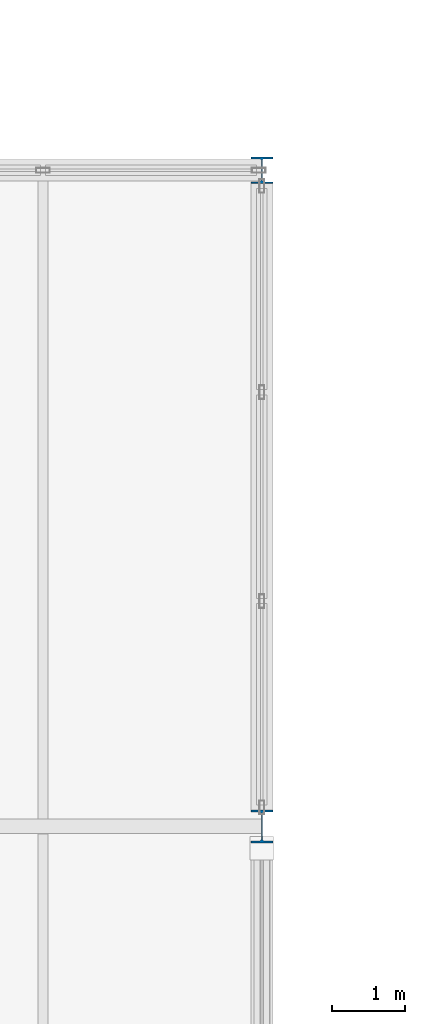
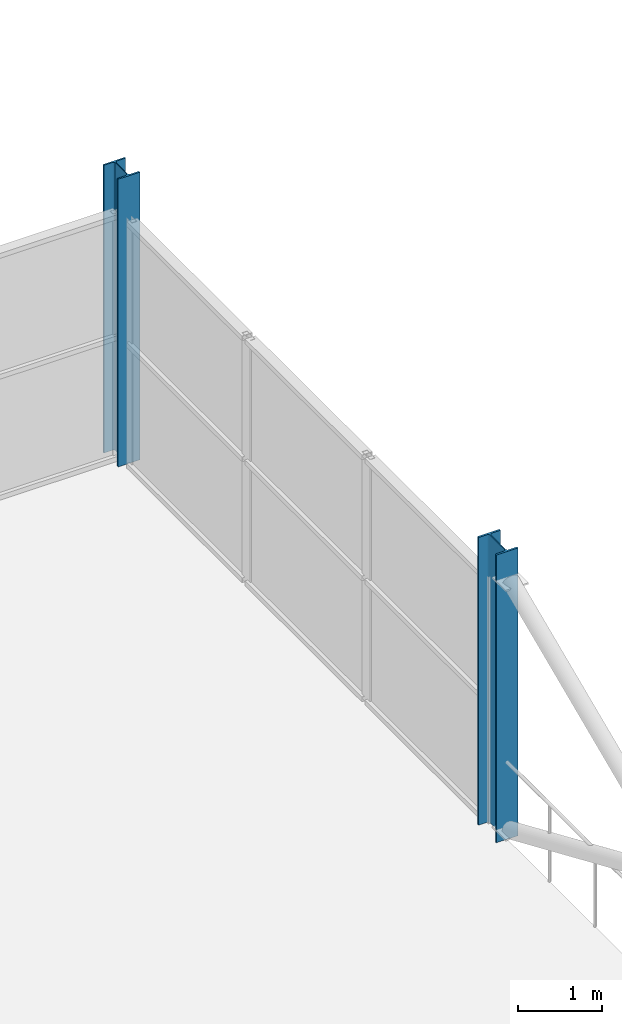
# One storey, part 15 of 103: 2 columns.
"""IFC4 building model written with IfcOpenShell, lengths in metres."""

from ifc_helpers import new_model, si_unit, direction, frame, origin, origin_2d, place, context, subcontext, project, spatial, i_section, extrude, material, material_profile, profile_set, type_object, element, save


model = new_model("IFC4")

# Units and contexts
model_context = context("Model", 3, precision=1e-05, world=origin(), true_north=direction((0.0, 1.0)))
body_context = subcontext(model_context, "Body", "Model", "MODEL_VIEW")
ifc_project = project(units=[si_unit("LENGTHUNIT", "METRE"), si_unit("AREAUNIT", "SQUARE_METRE"), si_unit("VOLUMEUNIT", "CUBIC_METRE"), si_unit("PLANEANGLEUNIT", "RADIAN"), si_unit("MASSUNIT", "GRAM", prefix="KILO")], contexts=[model_context])

# Site, building, storey
site_placement = place(None, origin())
site = spatial("IfcSite", under=ifc_project, at=site_placement, CompositionType="ELEMENT")
building_placement = place(site_placement, origin())
building = spatial("IfcBuilding", under=site, at=building_placement, Name="Deido Ridge Mobility Hub", CompositionType="ELEMENT")
storey_placement = place(building_placement, frame((0.0, 0.0, 12.60009765625)))
storey = spatial("IfcBuildingStorey", under=building, at=storey_placement, Name="L03", CompositionType="ELEMENT", Elevation=12.60009765625)

# Columns
ifc_material = material(Name="Steel S355J2 EN 10025-2", Category="steel")
ifc_material_profile_1 = material_profile(ifc_material, i_section(OverallWidth=0.300048828125, OverallDepth=0.360107421875, WebThickness=0.012451171875, FlangeThickness=0.0224609375, FilletRadius=0.027099609375, at=origin_2d()), Name="HEB 360")
ifc_profile_set_1 = profile_set([ifc_material_profile_1], Name="Steel S355J2 EN 10025-2")
column_type_1 = type_object("IfcColumnType", Name="COL-HEB360", PredefinedType="COLUMN", material=ifc_profile_set_1)
column_1_placement = place(storey_placement, frame((180.0, 72.0, 0.0), z_axis=(0.0, 0.0, 1.0), x_axis=(1.0, 0.0, 0.0)))
element("IfcColumn", 1, at=column_1_placement, inside=storey, type_object=column_type_1, Name="Structural column C8", PredefinedType="COLUMN", context=body_context, shape_type="SweptSolid", body=[
    extrude(i_section(OverallWidth=0.300048828125, OverallDepth=0.360107421875, WebThickness=0.012451171875, FlangeThickness=0.0224609375, FilletRadius=0.027099609375, at=origin_2d()), origin(), (0.0, 0.0, 1.0), 4.199951171875),
])
ifc_material_profile_2 = material_profile(ifc_material, i_section(OverallWidth=0.300048828125, OverallDepth=0.449951171875, WebThickness=0.013916015625, FlangeThickness=0.02587890625, FilletRadius=0.027099609375, at=origin_2d()), Name="HEB 450")
ifc_profile_set_2 = profile_set([ifc_material_profile_2], Name="Steel S355J2 EN 10025-2")
column_type_2 = type_object("IfcColumnType", Name="COL-HEB450", PredefinedType="COLUMN", material=ifc_profile_set_2)
column_2_placement = place(storey_placement, frame((180.0, 63.0, 0.0), z_axis=(0.0, 0.0, 1.0), x_axis=(1.0, 0.0, 0.0)))
element("IfcColumn", 2, at=column_2_placement, inside=storey, type_object=column_type_2, Name="Structural column C6", PredefinedType="COLUMN", context=body_context, shape_type="SweptSolid", body=[
    extrude(i_section(OverallWidth=0.300048828125, OverallDepth=0.449951171875, WebThickness=0.013916015625, FlangeThickness=0.02587890625, FilletRadius=0.027099609375, at=origin_2d()), origin(), (0.0, 0.0, 1.0), 4.199951171875),
])

save(model, "model.ifc")
